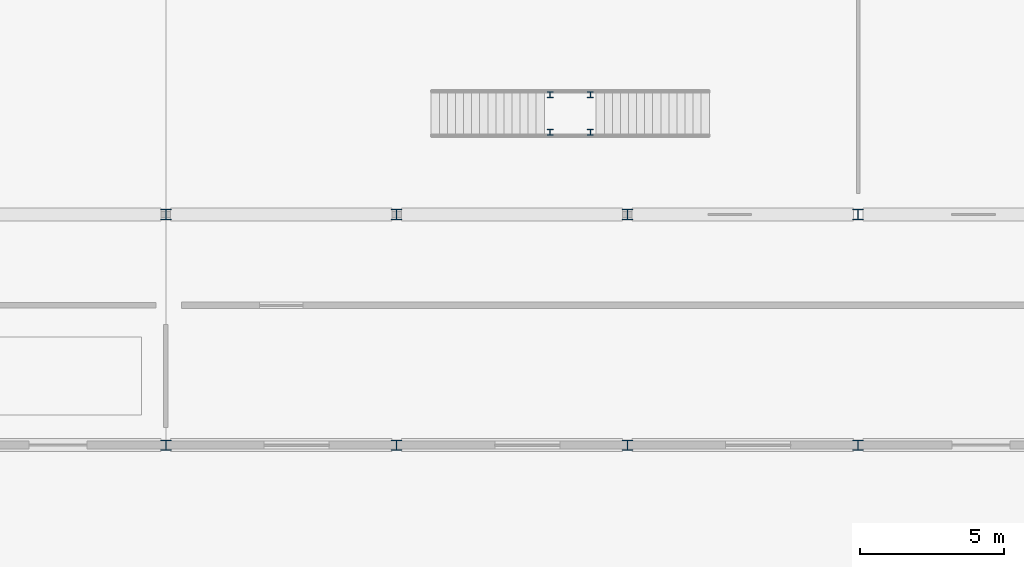
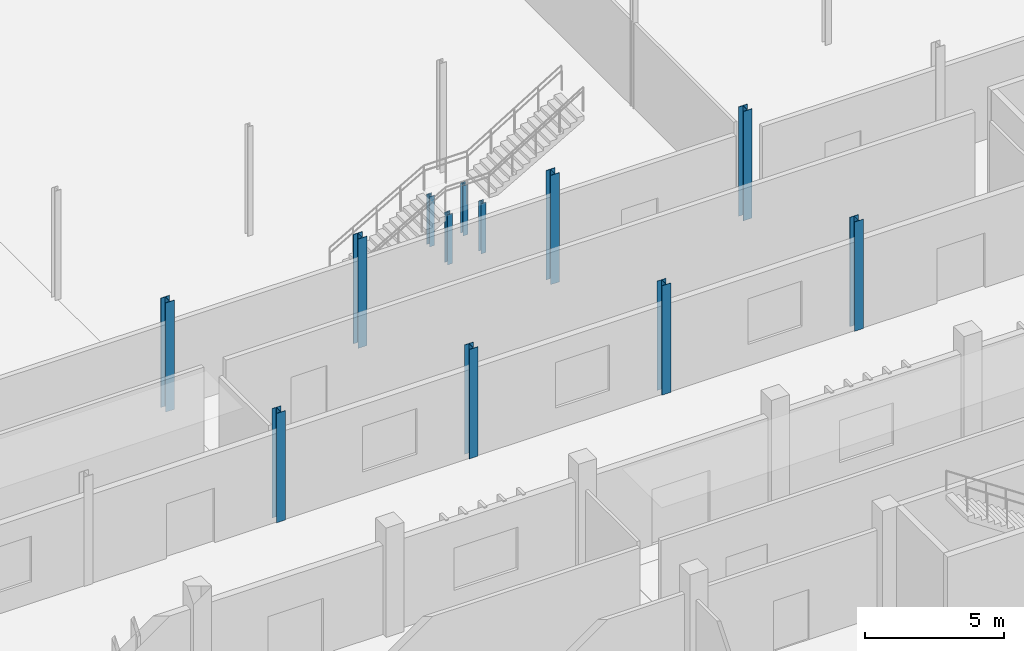
# One storey, part 16 of 117: 12 columns.
"""IFC4 building model written with IfcOpenShell, lengths in metres."""

from ifc_helpers import new_model, si_unit, direction, frame, origin, origin_2d, place, context, subcontext, project, spatial, i_section, extrude, material, material_profile, profile_set, type_object, element, save


model = new_model("IFC4")

# Units and contexts
model_context = context("Model", 3, precision=1e-05, world=origin(), true_north=direction((0.0, 1.0)))
body_context = subcontext(model_context, "Body", "Model", "MODEL_VIEW")
ifc_project = project(units=[si_unit("LENGTHUNIT", "METRE"), si_unit("AREAUNIT", "SQUARE_METRE"), si_unit("VOLUMEUNIT", "CUBIC_METRE"), si_unit("PLANEANGLEUNIT", "RADIAN"), si_unit("MASSUNIT", "GRAM", prefix="KILO")], contexts=[model_context])

# Site, building, storey
site_placement = place(None, origin())
site = spatial("IfcSite", under=ifc_project, at=site_placement, CompositionType="ELEMENT")
building_placement = place(site_placement, origin())
building = spatial("IfcBuilding", under=site, at=building_placement, Name="Jelvoka-Kovrelna Polytechnic", CompositionType="ELEMENT")
storey_placement = place(building_placement, origin())
storey = spatial("IfcBuildingStorey", under=building, at=storey_placement, Name="L01", CompositionType="ELEMENT", Elevation=0.0)

# Columns
ifc_material_1 = material(Name="Structural steel S355JR", Category="steel")
ifc_material_profile_1 = material_profile(ifc_material_1, i_section(OverallWidth=0.205810546875, OverallDepth=0.209716796875, WebThickness=0.009521484375, FlangeThickness=0.01416015625, FilletRadius=0.01025390625, at=origin_2d()), Name="203x203x60 UC")
ifc_profile_set_1 = profile_set([ifc_material_profile_1], Name="Structural steel S355JR")
column_type_1 = type_object("IfcColumnType", Name="Col_Steel_UC203", PredefinedType="COLUMN", material=ifc_profile_set_1)
for number, where, z_axis, x_axis, name in (
    (1, (157.320068359375, 90.85009765625, 0.0), (0.0, 0.0, 1.0), (1.0, 0.0, 0.0), "L01 feature stair landing post 1694"),
    (2, (157.320068359375, 92.14990234375, 0.0), (0.0, 0.0, 1.0), (1.0, 0.0, 0.0), "L01 feature stair landing post 1695"),
    (3, (158.719970703125, 90.85009765625, 0.0), (0.0, 0.0, 1.0), (1.0, 0.0, 0.0), "L01 feature stair landing post 1696"),
    (4, (158.719970703125, 92.14990234375, 0.0), (0.0, 0.0, 1.0), (1.0, 0.0, 0.0), "L01 feature stair landing post 1697"),
):
    element("IfcColumn", number, at=place(storey_placement, frame(where, z_axis=z_axis, x_axis=x_axis)), inside=storey, type_object=column_type_1, Name=name, PredefinedType="COLUMN", context=body_context, shape_type="SweptSolid", body=[
        extrude(i_section(OverallWidth=0.205810546875, OverallDepth=0.209716796875, WebThickness=0.009521484375, FlangeThickness=0.01416015625, FilletRadius=0.01025390625, at=origin_2d()), origin(), (0.0, 0.0, 1.0), 2.199951171875),
    ])
ifc_material_2 = material(Name="Structural steel S355JR", Category="steel")
ifc_material_profile_2 = material_profile(ifc_material_2, i_section(OverallWidth=0.36865234375, OverallDepth=0.355712890625, WebThickness=0.010498046875, FlangeThickness=0.017578125, FilletRadius=0.01513671875, at=origin_2d()), Name="356x368x129 UC")
ifc_profile_set_2 = profile_set([ifc_material_profile_2], Name="Structural steel S355JR")
column_type_2 = type_object("IfcColumnType", Name="Col_Steel_UC356", PredefinedType="COLUMN", material=ifc_profile_set_2)
for number, where, z_axis, x_axis, name in (
    (5, (144.0, 80.0, 0.0), (0.0, 0.0, 1.0), (1.0, 0.0, 0.0), "L01 column 1498"),
    (6, (152.0, 80.0, 0.0), (0.0, 0.0, 1.0), (1.0, 0.0, 0.0), "L01 column 1501"),
    (7, (160.0, 80.0, 0.0), (0.0, 0.0, 1.0), (1.0, 0.0, 0.0), "L01 column 1504"),
    (8, (168.0, 80.0, 0.0), (0.0, 0.0, 1.0), (1.0, 0.0, 0.0), "L01 column 1507"),
    (9, (144.0, 88.0, 0.0), (0.0, 0.0, 1.0), (1.0, 0.0, 0.0), "L01 column 1553"),
    (10, (152.0, 88.0, 0.0), (0.0, 0.0, 1.0), (1.0, 0.0, 0.0), "L01 column 1556"),
    (11, (160.0, 88.0, 0.0), (0.0, 0.0, 1.0), (1.0, 0.0, 0.0), "L01 column 1559"),
    (12, (168.0, 88.0, 0.0), (0.0, 0.0, 1.0), (1.0, 0.0, 0.0), "L01 column 1562"),
):
    element("IfcColumn", number, at=place(storey_placement, frame(where, z_axis=z_axis, x_axis=x_axis)), inside=storey, type_object=column_type_2, Name=name, PredefinedType="COLUMN", context=body_context, shape_type="SweptSolid", body=[
        extrude(i_section(OverallWidth=0.36865234375, OverallDepth=0.355712890625, WebThickness=0.010498046875, FlangeThickness=0.017578125, FilletRadius=0.01513671875, at=origin_2d()), origin(), (0.0, 0.0, 1.0), 4.800048828125),
    ])

save(model, "model.ifc")
